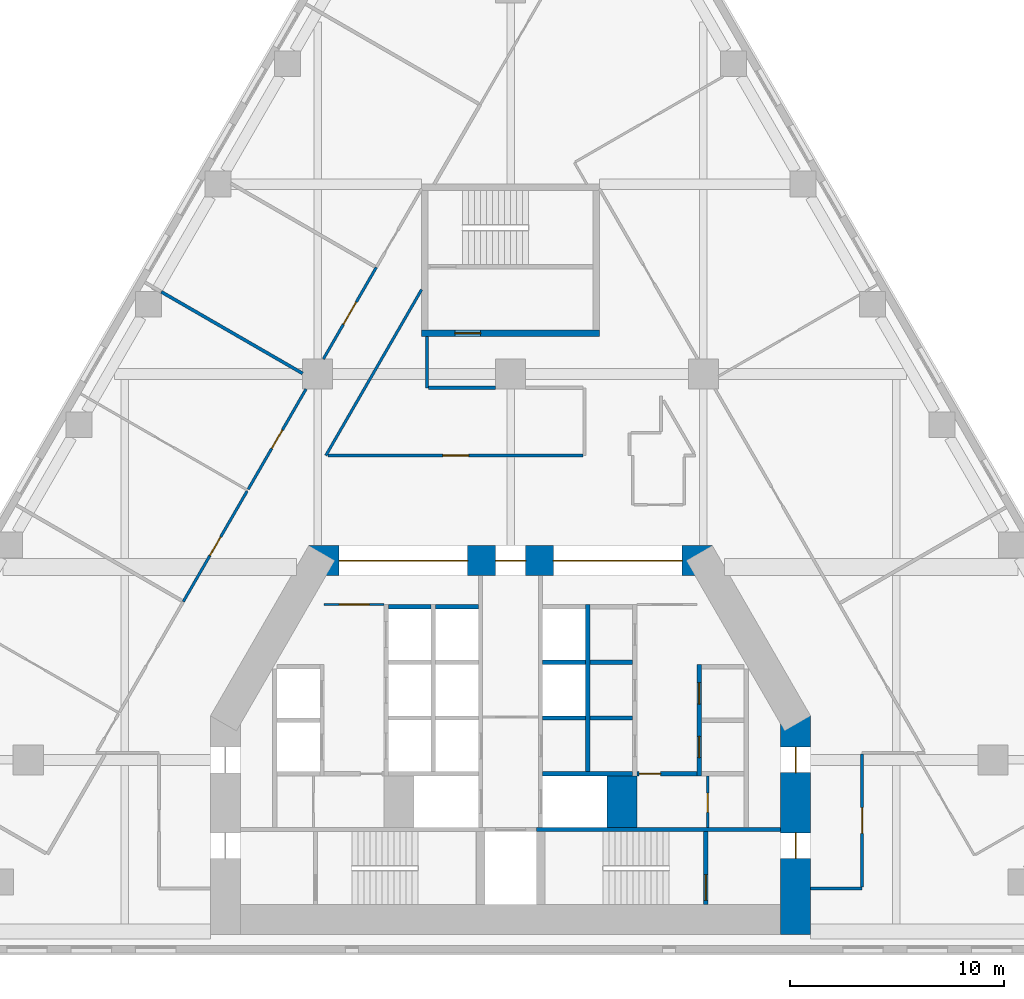
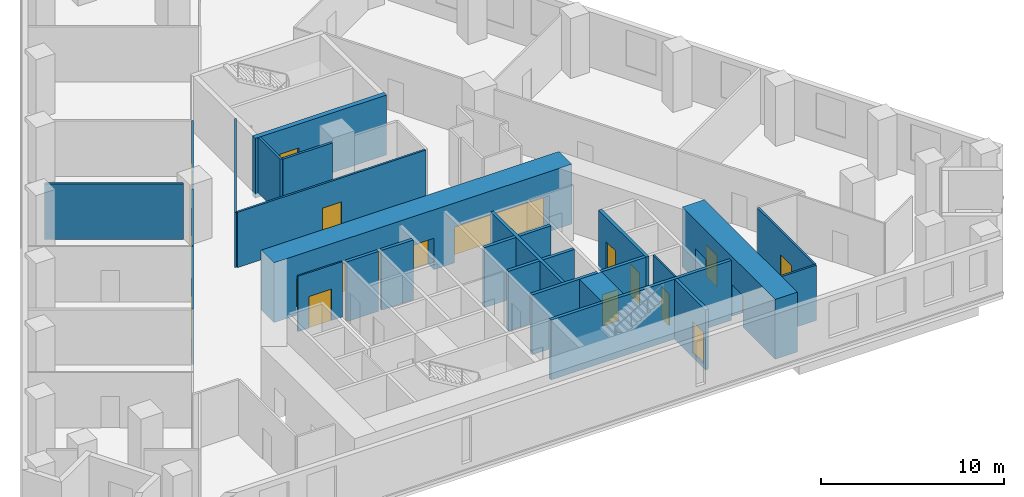
# One storey, part 5 of 9: 28 walls, 17 doors, 17 openings.
"""IFC4 building model written with IfcOpenShell, lengths in metres."""

from ifc_helpers import new_model, si_unit, direction, frame, frame_2d, origin, place, context, subcontext, project, spatial, rectangle, extrude, material, layer, layer_set, type_object, element, fill, save


model = new_model("IFC4")

# Units and contexts
model_context = context("Model", 3, precision=1e-05, world=origin(), true_north=direction((0.0, 1.0)))
body_context = subcontext(model_context, "Body", "Model", "MODEL_VIEW")
ifc_project = project(units=[si_unit("LENGTHUNIT", "METRE"), si_unit("AREAUNIT", "SQUARE_METRE"), si_unit("VOLUMEUNIT", "CUBIC_METRE"), si_unit("PLANEANGLEUNIT", "RADIAN"), si_unit("MASSUNIT", "GRAM", prefix="KILO")], contexts=[model_context])

# Site, building, storey
site_placement = place(None, origin())
site = spatial("IfcSite", under=ifc_project, at=site_placement, CompositionType="ELEMENT")
building_placement = place(site_placement, origin())
building = spatial("IfcBuilding", under=site, at=building_placement, Name="Fogline Exchange Tower", CompositionType="ELEMENT")
storey_placement = place(building_placement, frame((0.0, 0.0, 80.89990234375)))
storey = spatial("IfcBuildingStorey", under=building, at=storey_placement, Name="L17", CompositionType="ELEMENT", Elevation=80.89990234375)

# Wall, opening, door
ifc_material_1 = material(Name="Blockwork partition", Category="masonry")
ifc_layer_1 = layer(ifc_material_1, 0.10009765625)
ifc_layer_set_1 = layer_set([ifc_layer_1], Name="CW10")
wall_type_1 = type_object("IfcWallType", Name="CW10", PredefinedType="PARTITIONING", material=ifc_layer_set_1)
wall_1_placement = place(storey_placement, frame((-8.699951171875, 16.25, 0.0), z_axis=(0.0, 0.0, 1.0), x_axis=(1.0, 0.0, 0.0)))
wall_1 = element("IfcWall", 1, at=wall_1_placement, inside=storey, type_object=wall_type_1, Name="Lift lobby partition", PredefinedType="PARTITIONING", context=body_context, shape_type="SweptSolid", body=[
    extrude(rectangle(XDim=2.800048828125, YDim=0.10009765625, at=frame_2d((1.39990234375, 0.0))), origin(), (0.0, 0.0, 1.0), 3.7001953125),
])
opening_1_placement = place(wall_1_placement, frame((0.699951171875, 0.0, 0.0)))
opening_1 = element("IfcOpeningElement", 2, at=opening_1_placement, cuts=wall_1, Name="Opening T05-C007", PredefinedType="OPENING", context=body_context, shape_type="SweptSolid", body=[
    extrude(rectangle(XDim=1.39990234375, YDim=2.10009765625, at=frame_2d((0.699951171875, 1.050048828125))), frame((0.0, 0.06005859375, 0.0), z_axis=(0.0, -1.0, 0.0), x_axis=(1.0, 0.0, 0.0)), (0.0, 0.0, 1.0), 0.1201171875),
])
ifc_material_2 = material(Name="Steel and timber fire door", Category="steel")
door_type_1 = type_object("IfcDoorType", Name="D-LB1", OperationType="DOUBLE_DOOR_SINGLE_SWING", PredefinedType="DOOR", material=ifc_material_2)
door_1_placement = place(opening_1_placement, origin())
door_1 = element("IfcDoor", 3, at=door_1_placement, inside=storey, type_object=door_type_1, Name="Door to lift lobby", OperationType="DOUBLE_DOOR_SINGLE_SWING", OverallHeight=2.10009765625, OverallWidth=1.39990234375, PredefinedType="DOOR", context=body_context, shape_type="SweptSolid", body=[
    extrude(rectangle(XDim=1.39990234375, YDim=2.10009765625, at=frame_2d((0.699951171875, 1.050048828125))), frame((0.0, 0.02490234375, 0.0), z_axis=(0.0, -1.0, 0.0), x_axis=(1.0, 0.0, 0.0)), (0.0, 0.0, 1.0), 0.050048828125),
])
fill(opening_1, door_1)

wall_2_placement = place(storey_placement, frame((9.199951171875, 5.85009765625, 0.0), z_axis=(0.0, 0.0, 1.0), x_axis=(0.0, 1.0, 0.0)))
wall_2 = element("IfcWall", 4, at=wall_2_placement, inside=storey, type_object=wall_type_1, Name="WC partition", PredefinedType="PARTITIONING", context=body_context, shape_type="SweptSolid", body=[
    extrude(rectangle(XDim=2.39990234375, YDim=0.10009765625, at=frame_2d((1.199951171875, 0.0))), origin(), (0.0, 0.0, 1.0), 3.7001953125),
])
opening_2_placement = place(wall_2_placement, frame((0.699951171875, 0.0, 0.0)))
opening_2 = element("IfcOpeningElement", 5, at=opening_2_placement, cuts=wall_2, Name="Opening T05-C015", PredefinedType="OPENING", context=body_context, shape_type="SweptSolid", body=[
    extrude(rectangle(XDim=0.89990234375, YDim=2.10009765625, at=frame_2d((0.449951171875, 1.050048828125))), frame((0.0, 0.06005859375, 0.0), z_axis=(0.0, -1.0, 0.0), x_axis=(1.0, 0.0, 0.0)), (0.0, 0.0, 1.0), 0.1201171875),
])
door_type_2 = type_object("IfcDoorType", Name="D-CS1", OperationType="SINGLE_SWING_RIGHT", PredefinedType="DOOR", material=ifc_material_2)
door_2_placement = place(opening_2_placement, frame((0.89990234375, 0.0, 0.0), z_axis=(0.0, 0.0, 1.0), x_axis=(-1.0, 0.0, 0.0)))
door_2 = element("IfcDoor", 6, at=door_2_placement, inside=storey, type_object=door_type_2, Name="Door to Cleaner's Store", OperationType="SINGLE_SWING_RIGHT", OverallHeight=2.10009765625, OverallWidth=0.89990234375, PredefinedType="DOOR", context=body_context, shape_type="SweptSolid", body=[
    extrude(rectangle(XDim=0.89990234375, YDim=2.10009765625, at=frame_2d((0.449951171875, 1.050048828125))), frame((0.0, 0.02490234375, 0.0), z_axis=(0.0, -1.0, 0.0), x_axis=(1.0, 0.0, 0.0)), (0.0, 0.0, 1.0), 0.050048828125),
])
fill(opening_2, door_2)

# Wall
ifc_material_3 = material(Name="Concrete C60", Category="concrete")
ifc_layer_2 = layer(ifc_material_3, 1.39990234375)
ifc_layer_set_2 = layer_set([ifc_layer_2], Name="CW140")
wall_type_2 = type_object("IfcWallType", Name="CW140", PredefinedType="SOLIDWALL", material=ifc_layer_set_2)
wall_3_placement = place(storey_placement, frame((5.199951171875, 5.85009765625, -0.2998046875), z_axis=(0.0, 0.0, 1.0), x_axis=(0.0, 1.0, 0.0)))
element("IfcWall", 7, at=wall_3_placement, inside=storey, type_object=wall_type_2, Name="Lift shaft block wall", PredefinedType="SOLIDWALL", context=body_context, shape_type="SweptSolid", body=[
    extrude(rectangle(XDim=2.39990234375, YDim=1.39990234375, at=frame_2d((1.199951171875, 0.0))), origin(), (0.0, 0.0, 1.0), 4.0),
])

# Wall, opening, door
ifc_material_4 = material(Name="Concrete C40", Category="concrete")
ifc_layer_3 = layer(ifc_material_4, 0.199951171875)
ifc_layer_set_3 = layer_set([ifc_layer_3], Name="CW20")
wall_type_3 = type_object("IfcWallType", Name="CW20", PredefinedType="SOLIDWALL", material=ifc_layer_set_3)
wall_4_placement = place(storey_placement, frame((5.89990234375, 8.35009765625, 0.0), z_axis=(0.0, 0.0, 1.0), x_axis=(1.0, 0.0, 0.0)))
wall_4 = element("IfcWall", 8, at=wall_4_placement, inside=storey, type_object=wall_type_3, Name="WC wall", PredefinedType="SOLIDWALL", context=body_context, shape_type="SweptSolid", body=[
    extrude(rectangle(XDim=2.800048828125, YDim=0.199951171875, at=frame_2d((1.39990234375, 0.0))), origin(), (0.0, 0.0, 1.0), 3.7001953125),
])
opening_3_placement = place(wall_4_placement, frame((0.10009765625, 0.0, 0.0)))
opening_3 = element("IfcOpeningElement", 9, at=opening_3_placement, cuts=wall_4, Name="Opening T05-C014", PredefinedType="OPENING", context=body_context, shape_type="SweptSolid", body=[
    extrude(rectangle(XDim=1.0, YDim=2.10009765625, at=frame_2d((0.5, 1.050048828125))), frame((0.0, 0.10986328125, 0.0), z_axis=(0.0, -1.0, 0.0), x_axis=(1.0, 0.0, 0.0)), (0.0, 0.0, 1.0), 0.219970703125),
])
door_type_3 = type_object("IfcDoorType", Name="D-WC1", OperationType="SINGLE_SWING_LEFT", PredefinedType="DOOR", material=ifc_material_2)
door_3_placement = place(opening_3_placement, frame((1.0, 0.0, 0.0), z_axis=(0.0, 0.0, 1.0), x_axis=(-1.0, 0.0, 0.0)))
door_3 = element("IfcDoor", 10, at=door_3_placement, inside=storey, type_object=door_type_3, Name="Door to Women's WC", OperationType="SINGLE_SWING_RIGHT", OverallHeight=2.10009765625, OverallWidth=1.0, PredefinedType="DOOR", context=body_context, shape_type="SweptSolid", body=[
    extrude(rectangle(XDim=1.0, YDim=2.10009765625, at=frame_2d((0.5, 1.050048828125))), frame((0.0, 0.02490234375, 0.0), z_axis=(0.0, -1.0, 0.0), x_axis=(1.0, 0.0, 0.0)), (0.0, 0.0, 1.0), 0.050048828125),
])
fill(opening_3, door_3)

# Wall
ifc_layer_4 = layer(ifc_material_4, 0.199951171875)
ifc_layer_set_4 = layer_set([ifc_layer_4], Name="CW20R")
wall_type_4 = type_object("IfcWallType", Name="CW20R", PredefinedType="SOLIDWALL", material=ifc_layer_set_4)
wall_5_placement = place(storey_placement, frame((1.199951171875, 5.75, -0.2998046875), z_axis=(0.0, 0.0, 1.0), x_axis=(1.0, 0.0, 0.0)))
element("IfcWall", 11, at=wall_5_placement, inside=storey, type_object=wall_type_4, Name="Stair enclosure wall", PredefinedType="SOLIDWALL", context=body_context, shape_type="SweptSolid", body=[
    extrude(rectangle(XDim=11.400146484375, YDim=0.199951171875, at=frame_2d((5.7001953125, 0.0))), origin(), (0.0, 0.0, 1.0), 4.0),
])

# Wall, opening, door
wall_6_placement = place(storey_placement, frame((9.10009765625, 2.25, -0.2998046875), z_axis=(0.0, 0.0, 1.0), x_axis=(0.0, 1.0, 0.0)))
wall_6 = element("IfcWall", 12, at=wall_6_placement, inside=storey, type_object=wall_type_4, Name="Stair enclosure wall", PredefinedType="SOLIDWALL", context=body_context, shape_type="SweptSolid", body=[
    extrude(rectangle(XDim=3.39990234375, YDim=0.199951171875, at=frame_2d((1.699951171875, 0.0))), origin(), (0.0, 0.0, 1.0), 4.0),
])
opening_4_placement = place(wall_6_placement, frame((0.199951171875, 0.0, 0.300048828125)))
opening_4 = element("IfcOpeningElement", 13, at=opening_4_placement, cuts=wall_6, Name="Opening T05-C017", PredefinedType="OPENING", context=body_context, shape_type="SweptSolid", body=[
    extrude(rectangle(XDim=1.199951171875, YDim=2.10009765625, at=frame_2d((0.60009765625, 1.050048828125))), frame((0.0, 0.10986328125, 0.0), z_axis=(0.0, -1.0, 0.0), x_axis=(1.0, 0.0, 0.0)), (0.0, 0.0, 1.0), 0.219970703125),
])
door_type_4 = type_object("IfcDoorType", Name="D-ST1", OperationType="SINGLE_SWING_LEFT", PredefinedType="DOOR", material=ifc_material_2)
door_4_placement = place(opening_4_placement, origin())
door_4 = element("IfcDoor", 14, at=door_4_placement, inside=storey, type_object=door_type_4, Name="Stair door ST2", OperationType="SINGLE_SWING_LEFT", OverallHeight=2.10009765625, OverallWidth=1.199951171875, PredefinedType="DOOR", context=body_context, shape_type="SweptSolid", body=[
    extrude(rectangle(XDim=1.199951171875, YDim=2.10009765625, at=frame_2d((0.60009765625, 1.050048828125))), frame((0.0, 0.02490234375, 0.0), z_axis=(0.0, -1.0, 0.0), x_axis=(1.0, 0.0, 0.0)), (0.0, 0.0, 1.0), 0.050048828125),
])
fill(opening_4, door_4)

# Wall, openings, doors
ifc_layer_5 = layer(ifc_material_4, 0.199951171875)
ifc_layer_set_5 = layer_set([ifc_layer_5], Name="CW20S")
wall_type_5 = type_object("IfcWallType", Name="CW20S", PredefinedType="SOLIDWALL", material=ifc_layer_set_5)
wall_7_placement = place(storey_placement, frame((8.800048828125, 8.25, -0.2998046875), z_axis=(0.0, 0.0, 1.0), x_axis=(0.0, 1.0, 0.0)))
wall_7 = element("IfcWall", 15, at=wall_7_placement, inside=storey, type_object=wall_type_5, Name="Lift shaft wall", PredefinedType="SOLIDWALL", context=body_context, shape_type="SweptSolid", body=[
    extrude(rectangle(XDim=5.199951171875, YDim=0.199951171875, at=frame_2d((2.60009765625, 0.0))), origin(), (0.0, 0.0, 1.0), 4.0),
])
opening_5_placement = place(wall_7_placement, frame((0.85009765625, 0.0, 0.300048828125)))
opening_5 = element("IfcOpeningElement", 16, at=opening_5_placement, cuts=wall_7, Name="Opening T05-C001", PredefinedType="OPENING", context=body_context, shape_type="SweptSolid", body=[
    extrude(rectangle(XDim=1.0, YDim=2.10009765625, at=frame_2d((0.5, 1.050048828125))), frame((0.0, 0.10986328125, 0.0), z_axis=(0.0, -1.0, 0.0), x_axis=(1.0, 0.0, 0.0)), (0.0, 0.0, 1.0), 0.219970703125),
])
opening_6_placement = place(wall_7_placement, frame((3.35009765625, 0.0, 0.300048828125)))
opening_6 = element("IfcOpeningElement", 17, at=opening_6_placement, cuts=wall_7, Name="Opening T05-C002", PredefinedType="OPENING", context=body_context, shape_type="SweptSolid", body=[
    extrude(rectangle(XDim=1.0, YDim=2.10009765625, at=frame_2d((0.5, 1.050048828125))), frame((0.0, 0.10986328125, 0.0), z_axis=(0.0, -1.0, 0.0), x_axis=(1.0, 0.0, 0.0)), (0.0, 0.0, 1.0), 0.219970703125),
])
door_type_5 = type_object("IfcDoorType", Name="D-RM1", OperationType="SINGLE_SWING_LEFT", PredefinedType="DOOR", material=ifc_material_2)
door_5_placement = place(opening_5_placement, frame((1.0, 0.0, 0.0), z_axis=(0.0, 0.0, 1.0), x_axis=(-1.0, 0.0, 0.0)))
door_5 = element("IfcDoor", 18, at=door_5_placement, inside=storey, type_object=door_type_5, Name="Door to Server Room", OperationType="SINGLE_SWING_LEFT", OverallHeight=2.10009765625, OverallWidth=1.0, PredefinedType="DOOR", context=body_context, shape_type="SweptSolid", body=[
    extrude(rectangle(XDim=1.0, YDim=2.10009765625, at=frame_2d((0.5, 1.050048828125))), frame((0.0, 0.02490234375, 0.0), z_axis=(0.0, -1.0, 0.0), x_axis=(1.0, 0.0, 0.0)), (0.0, 0.0, 1.0), 0.050048828125),
])
fill(opening_5, door_5)
door_6_placement = place(opening_6_placement, frame((1.0, 0.0, 0.0), z_axis=(0.0, 0.0, 1.0), x_axis=(-1.0, 0.0, 0.0)))
door_6 = element("IfcDoor", 19, at=door_6_placement, inside=storey, type_object=door_type_5, Name="Door to Archive Store", OperationType="SINGLE_SWING_LEFT", OverallHeight=2.10009765625, OverallWidth=1.0, PredefinedType="DOOR", context=body_context, shape_type="SweptSolid", body=[
    extrude(rectangle(XDim=1.0, YDim=2.10009765625, at=frame_2d((0.5, 1.050048828125))), frame((0.0, 0.02490234375, 0.0), z_axis=(0.0, -1.0, 0.0), x_axis=(1.0, 0.0, 0.0)), (0.0, 0.0, 1.0), 0.050048828125),
])
fill(opening_6, door_6)

# Walls
wall_8_placement = place(storey_placement, frame((3.60009765625, 8.449951171875, -0.2998046875), z_axis=(0.0, 0.0, 1.0), x_axis=(0.0, 1.0, 0.0)))
element("IfcWall", 20, at=wall_8_placement, inside=storey, type_object=wall_type_5, Name="Lift shaft wall", PredefinedType="SOLIDWALL", context=body_context, shape_type="SweptSolid", body=[
    extrude(rectangle(XDim=7.800048828125, YDim=0.199951171875, at=frame_2d((3.89990234375, 0.0))), origin(), (0.0, 0.0, 1.0), 4.0),
])
wall_9_placement = place(storey_placement, frame((1.5, 8.35009765625, -0.2998046875), z_axis=(0.0, 0.0, 1.0), x_axis=(1.0, 0.0, 0.0)))
element("IfcWall", 21, at=wall_9_placement, inside=storey, type_object=wall_type_5, Name="Lift shaft wall", PredefinedType="SOLIDWALL", context=body_context, shape_type="SweptSolid", body=[
    extrude(rectangle(XDim=4.199951171875, YDim=0.199951171875, at=frame_2d((2.10009765625, 0.0))), origin(), (0.0, 0.0, 1.0), 4.0),
])
for number, where, z_axis, x_axis, name in (
    (22, (-5.699951171875, 16.14990234375, -0.2998046875), (0.0, 0.0, 1.0), (1.0, 0.0, 0.0), "Lift shaft wall"),
    (23, (-3.5, 16.14990234375, -0.2998046875), (0.0, 0.0, 1.0), (1.0, 0.0, 0.0), "Lift shaft wall"),
    (24, (3.699951171875, 10.949951171875, -0.2998046875), (0.0, 0.0, 1.0), (1.0, 0.0, 0.0), "Lift shaft wall"),
    (25, (3.699951171875, 13.550048828125, -0.2998046875), (0.0, 0.0, 1.0), (1.0, 0.0, 0.0), "Lift shaft wall"),
    (26, (1.5, 10.949951171875, -0.2998046875), (0.0, 0.0, 1.0), (1.0, 0.0, 0.0), "Lift shaft wall"),
    (27, (1.5, 13.550048828125, -0.2998046875), (0.0, 0.0, 1.0), (1.0, 0.0, 0.0), "Lift shaft wall"),
):
    element("IfcWall", number, at=place(storey_placement, frame(where, z_axis=z_axis, x_axis=x_axis)), inside=storey, type_object=wall_type_5, Name=name, PredefinedType="SOLIDWALL", context=body_context, shape_type="SweptSolid", body=[
        extrude(rectangle(XDim=2.0, YDim=0.199951171875, at=frame_2d((1.0, 0.0))), origin(), (0.0, 0.0, 1.0), 4.0),
    ])

# Wall, opening, door
ifc_layer_6 = layer(ifc_material_4, 0.300048828125)
ifc_layer_set_6 = layer_set([ifc_layer_6], Name="CW30")
wall_type_6 = type_object("IfcWallType", Name="CW30", PredefinedType="SOLIDWALL", material=ifc_layer_set_6)
wall_10_placement = place(storey_placement, frame((-4.14990234375, 28.906982421875, -0.2998046875), z_axis=(0.0, 0.0, 1.0), x_axis=(1.0, 0.0, 0.0)))
wall_10 = element("IfcWall", 28, at=wall_10_placement, inside=storey, type_object=wall_type_6, Name="Stair enclosure wall ST3", PredefinedType="SOLIDWALL", context=body_context, shape_type="SweptSolid", body=[
    extrude(rectangle(XDim=8.2998046875, YDim=0.300048828125, at=frame_2d((4.14990234375, 0.0))), origin(), (0.0, 0.0, 1.0), 4.0),
])
opening_7_placement = place(wall_10_placement, frame((1.550048828125, 0.0, 0.300048828125)))
opening_7 = element("IfcOpeningElement", 29, at=opening_7_placement, cuts=wall_10, Name="Opening T05-C023", PredefinedType="OPENING", context=body_context, shape_type="SweptSolid", body=[
    extrude(rectangle(XDim=1.199951171875, YDim=2.10009765625, at=frame_2d((0.60009765625, 1.050048828125))), frame((0.0, 0.16015625, 0.0), z_axis=(0.0, -1.0, 0.0), x_axis=(1.0, 0.0, 0.0)), (0.0, 0.0, 1.0), 0.320068359375),
])
door_type_6 = type_object("IfcDoorType", Name="D-FR1", OperationType="SINGLE_SWING_RIGHT", PredefinedType="DOOR", material=ifc_material_2)
door_7_placement = place(opening_7_placement, origin())
door_7 = element("IfcDoor", 30, at=door_7_placement, inside=storey, type_object=door_type_6, Name="Front room door ST3", OperationType="SINGLE_SWING_LEFT", OverallHeight=2.10009765625, OverallWidth=1.199951171875, PredefinedType="DOOR", context=body_context, shape_type="SweptSolid", body=[
    extrude(rectangle(XDim=1.199951171875, YDim=2.10009765625, at=frame_2d((0.60009765625, 1.050048828125))), frame((0.0, 0.02490234375, 0.0), z_axis=(0.0, -1.0, 0.0), x_axis=(1.0, 0.0, 0.0)), (0.0, 0.0, 1.0), 0.050048828125),
])
fill(opening_7, door_7)

ifc_material_5 = material(Name="Plasterboard corridor partition with mineral wool, 2 layers each side")
ifc_layer_7 = layer(ifc_material_5, 0.125)
ifc_layer_set_7 = layer_set([ifc_layer_7], Name="PW2")
wall_type_7 = type_object("IfcWallType", Name="PW2", PredefinedType="PARTITIONING", material=ifc_layer_set_7)
wall_11_placement = place(storey_placement, frame((16.39990234375, 9.277587890625, 0.0), z_axis=(0.0, 0.0, 1.0), x_axis=(0.0, -1.0, 0.0)))
wall_11 = element("IfcWall", 31, at=wall_11_placement, inside=storey, type_object=wall_type_7, Name="wall-L17-W001", PredefinedType="PARTITIONING", context=body_context, shape_type="SweptSolid", body=[
    extrude(rectangle(XDim=6.215087890625, YDim=0.125, at=frame_2d((3.107421875, 0.0))), origin(), (0.0, 0.0, 1.0), 3.7001953125),
])
opening_8_placement = place(wall_11_placement, frame((2.507568359375, 0.0, 0.0)))
opening_8 = element("IfcOpeningElement", 32, at=opening_8_placement, cuts=wall_11, Name="Opening T05-D001", PredefinedType="OPENING", context=body_context, shape_type="SweptSolid", body=[
    extrude(rectangle(XDim=1.199951171875, YDim=2.10009765625, at=frame_2d((0.60009765625, 1.050048828125))), frame((0.0, 0.072509765625, 0.0), z_axis=(0.0, -1.0, 0.0), x_axis=(1.0, 0.0, 0.0)), (0.0, 0.0, 1.0), 0.14501953125),
])
ifc_material_6 = material(Name="Fire-rated glazed door leaf with steel frame", Category="steel")
door_type_7 = type_object("IfcDoorType", Name="D5", OperationType="SINGLE_SWING_LEFT", PredefinedType="DOOR", material=ifc_material_6)
door_8_placement = place(opening_8_placement, origin())
door_8 = element("IfcDoor", 33, at=door_8_placement, inside=storey, type_object=door_type_7, Name="door-L17-D001", OperationType="SINGLE_SWING_LEFT", OverallHeight=2.10009765625, OverallWidth=1.199951171875, PredefinedType="DOOR", context=body_context, shape_type="SweptSolid", body=[
    extrude(rectangle(XDim=1.199951171875, YDim=2.10009765625, at=frame_2d((0.60009765625, 1.050048828125))), frame((0.0, 0.02490234375, 0.0), z_axis=(0.0, -1.0, 0.0), x_axis=(1.0, 0.0, 0.0)), (0.0, 0.0, 1.0), 0.050048828125),
])
fill(opening_8, door_8)

# Wall
wall_12_placement = place(storey_placement, frame((16.39990234375, 3.0, 0.0), z_axis=(0.0, 0.0, 1.0), x_axis=(-1.0, 0.0, 0.0)))
element("IfcWall", 34, at=wall_12_placement, inside=storey, type_object=wall_type_7, Name="wall-L17-W002", PredefinedType="PARTITIONING", context=body_context, shape_type="SweptSolid", body=[
    extrude(rectangle(XDim=2.39990234375, YDim=0.125, at=frame_2d((1.199951171875, 0.0))), origin(), (0.0, 0.0, 1.0), 3.7001953125),
])

# Wall, opening, door
wall_13_placement = place(storey_placement, frame((-8.5087890625, 23.199951171875, 0.0), z_axis=(0.0, 0.0, 1.0), x_axis=(1.0, 0.0, 0.0)))
wall_13 = element("IfcWall", 35, at=wall_13_placement, inside=storey, type_object=wall_type_7, Name="wall-L17-W007", PredefinedType="PARTITIONING", context=body_context, shape_type="SweptSolid", body=[
    extrude(rectangle(XDim=11.896240234375, YDim=0.125, at=frame_2d((5.9482421875, 0.0))), origin(), (0.0, 0.0, 1.0), 3.7001953125),
])
opening_9_placement = place(wall_13_placement, frame((5.34814453125, 0.0, 0.0)))
opening_9 = element("IfcOpeningElement", 36, at=opening_9_placement, cuts=wall_13, Name="Opening T05-D003", PredefinedType="OPENING", context=body_context, shape_type="SweptSolid", body=[
    extrude(rectangle(XDim=1.199951171875, YDim=2.10009765625, at=frame_2d((0.60009765625, 1.050048828125))), frame((0.0, 0.072509765625, 0.0), z_axis=(0.0, -1.0, 0.0), x_axis=(1.0, 0.0, 0.0)), (0.0, 0.0, 1.0), 0.14501953125),
])
door_9_placement = place(opening_9_placement, origin())
door_9 = element("IfcDoor", 37, at=door_9_placement, inside=storey, type_object=door_type_7, Name="door-L17-D003", OperationType="SINGLE_SWING_RIGHT", OverallHeight=2.10009765625, OverallWidth=1.199951171875, PredefinedType="DOOR", context=body_context, shape_type="SweptSolid", body=[
    extrude(rectangle(XDim=1.199951171875, YDim=2.10009765625, at=frame_2d((0.60009765625, 1.050048828125))), frame((0.0, 0.02490234375, 0.0), z_axis=(0.0, -1.0, 0.0), x_axis=(1.0, 0.0, 0.0)), (0.0, 0.0, 1.0), 0.050048828125),
])
fill(opening_9, door_9)

# Wall
wall_14_placement = place(storey_placement, frame((-4.14990234375, 30.93798828125, 0.0), z_axis=(0.0, 0.0, 1.0), x_axis=(-0.499997606806, -0.866026785491, 0.0)))
element("IfcWall", 38, at=wall_14_placement, inside=storey, type_object=wall_type_7, Name="wall-L17-W011", PredefinedType="PARTITIONING", context=body_context, shape_type="SweptSolid", body=[
    extrude(rectangle(XDim=8.93505859375, YDim=0.125, at=frame_2d((4.467529296875, 0.0))), origin(), (0.0, 0.0, 1.0), 3.7001953125),
])

# Wall, opening, door
wall_15_placement = place(storey_placement, frame((-8.73291015625, 27.699951171875, 0.0), z_axis=(0.0, 0.0, 1.0), x_axis=(0.499996519298, 0.86602741336, 0.0)))
wall_15 = element("IfcWall", 39, at=wall_15_placement, inside=storey, type_object=wall_type_7, Name="wall-L17-W012", PredefinedType="PARTITIONING", context=body_context, shape_type="SweptSolid", body=[
    extrude(rectangle(XDim=4.93505859375, YDim=0.125, at=frame_2d((2.467529296875, 0.0))), origin(), (0.0, 0.0, 1.0), 3.7001953125),
])
opening_10_placement = place(wall_15_placement, frame((1.867431640625, 0.0, 0.0)))
opening_10 = element("IfcOpeningElement", 40, at=opening_10_placement, cuts=wall_15, Name="Opening T05-D006", PredefinedType="OPENING", context=body_context, shape_type="SweptSolid", body=[
    extrude(rectangle(XDim=1.199951171875, YDim=2.10009765625, at=frame_2d((0.60009765625, 1.050048828125))), frame((0.0, 0.072509765625, 0.0), z_axis=(0.0, -1.0, 0.0), x_axis=(1.0, 0.0, 0.0)), (0.0, 0.0, 1.0), 0.14501953125),
])
door_10_placement = place(opening_10_placement, origin())
door_10 = element("IfcDoor", 41, at=door_10_placement, inside=storey, type_object=door_type_7, Name="door-L17-D006", OperationType="SINGLE_SWING_RIGHT", OverallHeight=2.10009765625, OverallWidth=1.199951171875, PredefinedType="DOOR", context=body_context, shape_type="SweptSolid", body=[
    extrude(rectangle(XDim=1.199951171875, YDim=2.10009765625, at=frame_2d((0.60009765625, 1.050048828125))), frame((0.0, 0.02490234375, 0.0), z_axis=(0.0, -1.0, 0.0), x_axis=(1.0, 0.0, 0.0)), (0.0, 0.0, 1.0), 0.050048828125),
])
fill(opening_10, door_10)

wall_16_placement = place(storey_placement, frame((-12.239990234375, 21.625244140625, 0.0), z_axis=(0.0, 0.0, 1.0), x_axis=(0.499962585297, 0.866047004096, 0.0)))
wall_16 = element("IfcWall", 42, at=wall_16_placement, inside=storey, type_object=wall_type_7, Name="wall-L17-W013", PredefinedType="PARTITIONING", context=body_context, shape_type="SweptSolid", body=[
    extrude(rectangle(XDim=5.39794921875, YDim=0.125, at=frame_2d((2.698974609375, 0.0))), origin(), (0.0, 0.0, 1.0), 3.7001953125),
])
opening_11_placement = place(wall_16_placement, frame((2.198974609375, 0.0, 0.0)))
opening_11 = element("IfcOpeningElement", 43, at=opening_11_placement, cuts=wall_16, Name="Opening T05-D007", PredefinedType="OPENING", context=body_context, shape_type="SweptSolid", body=[
    extrude(rectangle(XDim=1.0, YDim=2.10009765625, at=frame_2d((0.5, 1.050048828125))), frame((0.0, 0.072509765625, 0.0), z_axis=(0.0, -1.0, 0.0), x_axis=(1.0, 0.0, 0.0)), (0.0, 0.0, 1.0), 0.14501953125),
])
ifc_material_7 = material(Name="Fire-rated timber door leaf with steel frame", Category="steel")
door_type_8 = type_object("IfcDoorType", Name="D3", OperationType="SINGLE_SWING_LEFT", PredefinedType="DOOR", material=ifc_material_7)
door_11_placement = place(opening_11_placement, origin())
door_11 = element("IfcDoor", 44, at=door_11_placement, inside=storey, type_object=door_type_8, Name="door-L17-D007", OperationType="SINGLE_SWING_LEFT", OverallHeight=2.10009765625, OverallWidth=1.0, PredefinedType="DOOR", context=body_context, shape_type="SweptSolid", body=[
    extrude(rectangle(XDim=1.0, YDim=2.10009765625, at=frame_2d((0.5, 1.050048828125))), frame((0.0, 0.02490234375, 0.0), z_axis=(0.0, -1.0, 0.0), x_axis=(1.0, 0.0, 0.0)), (0.0, 0.0, 1.0), 0.050048828125),
])
fill(opening_11, door_11)

wall_17_placement = place(storey_placement, frame((-15.265380859375, 16.385498046875, 0.0), z_axis=(0.0, 0.0, 1.0), x_axis=(0.500018463402, 0.866014743672, 0.0)))
wall_17 = element("IfcWall", 45, at=wall_17_placement, inside=storey, type_object=wall_type_7, Name="wall-L17-W014", PredefinedType="PARTITIONING", context=body_context, shape_type="SweptSolid", body=[
    extrude(rectangle(XDim=5.949462890625, YDim=0.125, at=frame_2d((2.974609375, 0.0))), origin(), (0.0, 0.0, 1.0), 3.7001953125),
])
opening_12_placement = place(wall_17_placement, frame((2.474853515625, 0.0, 0.0)))
opening_12 = element("IfcOpeningElement", 46, at=opening_12_placement, cuts=wall_17, Name="Opening T05-D008", PredefinedType="OPENING", context=body_context, shape_type="SweptSolid", body=[
    extrude(rectangle(XDim=1.0, YDim=2.10009765625, at=frame_2d((0.5, 1.050048828125))), frame((0.0, 0.072509765625, 0.0), z_axis=(0.0, -1.0, 0.0), x_axis=(1.0, 0.0, 0.0)), (0.0, 0.0, 1.0), 0.14501953125),
])
door_12_placement = place(opening_12_placement, origin())
door_12 = element("IfcDoor", 47, at=door_12_placement, inside=storey, type_object=door_type_8, Name="door-L17-D008", OperationType="SINGLE_SWING_RIGHT", OverallHeight=2.10009765625, OverallWidth=1.0, PredefinedType="DOOR", context=body_context, shape_type="SweptSolid", body=[
    extrude(rectangle(XDim=1.0, YDim=2.10009765625, at=frame_2d((0.5, 1.050048828125))), frame((0.0, 0.02490234375, 0.0), z_axis=(0.0, -1.0, 0.0), x_axis=(1.0, 0.0, 0.0)), (0.0, 0.0, 1.0), 0.050048828125),
])
fill(opening_12, door_12)

# Walls
ifc_material_8 = material(Name="Plasterboard demising partition with mineral wool and acoustic board")
ifc_layer_8 = layer(ifc_material_8, 0.14990234375)
ifc_layer_set_8 = layer_set([ifc_layer_8], Name="PW3")
wall_type_8 = type_object("IfcWallType", Name="PW3", PredefinedType="PARTITIONING", material=ifc_layer_set_8)
wall_18_placement = place(storey_placement, frame((-9.699951171875, 27.028564453125, 0.0), z_axis=(0.0, 0.0, 1.0), x_axis=(-0.866021009999, 0.500007610182, 0.0)))
element("IfcWall", 48, at=wall_18_placement, inside=storey, type_object=wall_type_8, Name="wall-L17-W042", PredefinedType="PARTITIONING", context=body_context, shape_type="SweptSolid", body=[
    extrude(rectangle(XDim=7.60888671875, YDim=0.14990234375, at=frame_2d((3.804443359375, 0.0))), origin(), (0.0, 0.0, 1.0), 3.7001953125),
])
ifc_material_9 = material(Name="Plasterboard stair lobby partition, 3 layers each side on steel studs", Category="steel")
ifc_layer_9 = layer(ifc_material_9, 0.14990234375)
ifc_layer_set_9 = layer_set([ifc_layer_9], Name="PW4")
wall_type_9 = type_object("IfcWallType", Name="PW4", PredefinedType="PARTITIONING", material=ifc_layer_set_9)
wall_19_placement = place(storey_placement, frame((-0.699951171875, 26.35693359375, 0.0), z_axis=(0.0, 0.0, 1.0), x_axis=(-1.0, 0.0, 0.0)))
element("IfcWall", 49, at=wall_19_placement, inside=storey, type_object=wall_type_9, Name="wall-L17-W020", PredefinedType="PARTITIONING", context=body_context, shape_type="SweptSolid", body=[
    extrude(rectangle(XDim=3.125, YDim=0.14990234375, at=frame_2d((1.5625, 0.0))), origin(), (0.0, 0.0, 1.0), 3.7001953125),
])
wall_20_placement = place(storey_placement, frame((-3.89990234375, 26.35693359375, 0.0), z_axis=(0.0, 0.0, 1.0), x_axis=(0.0, 1.0, 0.0)))
element("IfcWall", 50, at=wall_20_placement, inside=storey, type_object=wall_type_9, Name="wall-L17-W021", PredefinedType="PARTITIONING", context=body_context, shape_type="SweptSolid", body=[
    extrude(rectangle(XDim=2.400146484375, YDim=0.14990234375, at=frame_2d((1.2001953125, 0.0))), origin(), (0.0, 0.0, 1.0), 3.7001953125),
])

# Wall, openings, doors
ifc_layer_10 = layer(ifc_material_3, 1.39990234375)
ifc_layer_set_10 = layer_set([ifc_layer_10], Name="SW01")
wall_type_10 = type_object("IfcWallType", Name="SW01", PredefinedType="SHEAR", material=ifc_layer_set_10)
wall_21_placement = place(storey_placement, frame((13.300048828125, 0.85009765625, 0.0), z_axis=(0.0, 0.0, 1.0), x_axis=(0.0, 1.0, 0.0)))
wall_21 = element("IfcWall", 51, at=wall_21_placement, inside=storey, type_object=wall_type_10, Name="L17-W902", PredefinedType="SHEAR", context=body_context, shape_type="SweptSolid", body=[
    extrude(rectangle(XDim=10.202392578125, YDim=1.39990234375, at=frame_2d((5.10107421875, 0.0))), origin(), (0.0, 0.0, 1.0), 4.0),
])
opening_13_placement = place(wall_21_placement, frame((3.550048828125, 0.0, 0.0)))
opening_13 = element("IfcOpeningElement", 52, at=opening_13_placement, cuts=wall_21, Name="Opening T05-C016", PredefinedType="OPENING", context=body_context, shape_type="SweptSolid", body=[
    extrude(rectangle(XDim=1.199951171875, YDim=2.10009765625, at=frame_2d((0.60009765625, 1.050048828125))), frame((0.0, 0.7099609375, 0.0), z_axis=(0.0, -1.0, 0.0), x_axis=(1.0, 0.0, 0.0)), (0.0, 0.0, 1.0), 1.419921875),
])
opening_14_placement = place(wall_21_placement, frame((7.550048828125, 0.0, 0.0)))
opening_14 = element("IfcOpeningElement", 53, at=opening_14_placement, cuts=wall_21, Name="Opening T05-C018", PredefinedType="OPENING", context=body_context, shape_type="SweptSolid", body=[
    extrude(rectangle(XDim=1.199951171875, YDim=2.10009765625, at=frame_2d((0.60009765625, 1.050048828125))), frame((0.0, 0.7099609375, 0.0), z_axis=(0.0, -1.0, 0.0), x_axis=(1.0, 0.0, 0.0)), (0.0, 0.0, 1.0), 1.419921875),
])
door_13_placement = place(opening_13_placement, origin())
door_13 = element("IfcDoor", 54, at=door_13_placement, inside=storey, type_object=door_type_6, Name="Front room door ST2", OperationType="SINGLE_SWING_RIGHT", OverallHeight=2.10009765625, OverallWidth=1.199951171875, PredefinedType="DOOR", context=body_context, shape_type="SweptSolid", body=[
    extrude(rectangle(XDim=1.199951171875, YDim=2.10009765625, at=frame_2d((0.60009765625, 1.050048828125))), frame((0.0, 0.02490234375, 0.0), z_axis=(0.0, -1.0, 0.0), x_axis=(1.0, 0.0, 0.0)), (0.0, 0.0, 1.0), 0.050048828125),
])
fill(opening_13, door_13)
door_type_9 = type_object("IfcDoorType", Name="D-SV1", OperationType="SINGLE_SWING_LEFT", PredefinedType="DOOR", material=ifc_material_2)
door_14_placement = place(opening_14_placement, origin())
door_14 = element("IfcDoor", 55, at=door_14_placement, inside=storey, type_object=door_type_9, Name="Service door E", OperationType="SINGLE_SWING_RIGHT", OverallHeight=2.10009765625, OverallWidth=1.199951171875, PredefinedType="DOOR", context=body_context, shape_type="SweptSolid", body=[
    extrude(rectangle(XDim=1.199951171875, YDim=2.10009765625, at=frame_2d((0.60009765625, 1.050048828125))), frame((0.0, 0.02490234375, 0.0), z_axis=(0.0, -1.0, 0.0), x_axis=(1.0, 0.0, 0.0)), (0.0, 0.0, 1.0), 0.050048828125),
])
fill(opening_14, door_14)

wall_22_placement = place(storey_placement, frame((9.41162109375, 18.300048828125, 0.0), z_axis=(0.0, 0.0, 1.0), x_axis=(-1.0, 0.0, 0.0)))
wall_22 = element("IfcWall", 56, at=wall_22_placement, inside=storey, type_object=wall_type_10, Name="L17-W904", PredefinedType="SHEAR", context=body_context, shape_type="SweptSolid", body=[
    extrude(rectangle(XDim=18.8232421875, YDim=1.39990234375, at=frame_2d((9.41162109375, 0.0))), origin(), (0.0, 0.0, 1.0), 4.0),
])
opening_15_placement = place(wall_22_placement, frame((8.71142578125, 0.0, 0.0)))
opening_15 = element("IfcOpeningElement", 57, at=opening_15_placement, cuts=wall_22, Name="Opening T05-C020", PredefinedType="OPENING", context=body_context, shape_type="SweptSolid", body=[
    extrude(rectangle(XDim=1.39990234375, YDim=2.10009765625, at=frame_2d((0.699951171875, 1.050048828125))), frame((0.0, 0.7099609375, 0.0), z_axis=(0.0, -1.0, 0.0), x_axis=(1.0, 0.0, 0.0)), (0.0, 0.0, 1.0), 1.419921875),
])
opening_16_placement = place(wall_22_placement, frame((11.41162109375, 0.0, 0.0)))
opening_16 = element("IfcOpeningElement", 58, at=opening_16_placement, cuts=wall_22, Name="Opening T05-C021", PredefinedType="OPENING", context=body_context, shape_type="SweptSolid", body=[
    extrude(rectangle(XDim=6.0, YDim=2.39990234375, at=frame_2d((3.0, 1.199951171875))), frame((0.0, 0.7099609375, 0.0), z_axis=(0.0, -1.0, 0.0), x_axis=(1.0, 0.0, 0.0)), (0.0, 0.0, 1.0), 1.419921875),
])
opening_17_placement = place(wall_22_placement, frame((1.41162109375, 0.0, 0.0)))
opening_17 = element("IfcOpeningElement", 59, at=opening_17_placement, cuts=wall_22, Name="Opening T05-C022", PredefinedType="OPENING", context=body_context, shape_type="SweptSolid", body=[
    extrude(rectangle(XDim=6.0, YDim=2.39990234375, at=frame_2d((3.0, 1.199951171875))), frame((0.0, 0.7099609375, 0.0), z_axis=(0.0, -1.0, 0.0), x_axis=(1.0, 0.0, 0.0)), (0.0, 0.0, 1.0), 1.419921875),
])
door_15_placement = place(opening_15_placement, origin())
door_15 = element("IfcDoor", 60, at=door_15_placement, inside=storey, type_object=door_type_1, Name="Protected lobby door", OperationType="DOUBLE_DOOR_SINGLE_SWING", OverallHeight=2.10009765625, OverallWidth=1.39990234375, PredefinedType="DOOR", context=body_context, shape_type="SweptSolid", body=[
    extrude(rectangle(XDim=1.39990234375, YDim=2.10009765625, at=frame_2d((0.699951171875, 1.050048828125))), frame((0.0, 0.02490234375, 0.0), z_axis=(0.0, -1.0, 0.0), x_axis=(1.0, 0.0, 0.0)), (0.0, 0.0, 1.0), 0.050048828125),
])
fill(opening_15, door_15)
door_type_10 = type_object("IfcDoorType", Name="D-LE1", OperationType="DOUBLE_DOOR_SLIDING", PredefinedType="DOOR", material=ifc_material_2)
door_16_placement = place(opening_16_placement, origin())
door_16 = element("IfcDoor", 61, at=door_16_placement, inside=storey, type_object=door_type_10, Name="Lift lobby entrance west", OperationType="DOUBLE_DOOR_SLIDING", OverallHeight=2.39990234375, OverallWidth=6.0, PredefinedType="DOOR", context=body_context, shape_type="SweptSolid", body=[
    extrude(rectangle(XDim=6.0, YDim=2.39990234375, at=frame_2d((3.0, 1.199951171875))), frame((0.0, 0.02490234375, 0.0), z_axis=(0.0, -1.0, 0.0), x_axis=(1.0, 0.0, 0.0)), (0.0, 0.0, 1.0), 0.050048828125),
])
fill(opening_16, door_16)
door_17_placement = place(opening_17_placement, origin())
door_17 = element("IfcDoor", 62, at=door_17_placement, inside=storey, type_object=door_type_10, Name="Lift lobby entrance east", OperationType="DOUBLE_DOOR_SLIDING", OverallHeight=2.39990234375, OverallWidth=6.0, PredefinedType="DOOR", context=body_context, shape_type="SweptSolid", body=[
    extrude(rectangle(XDim=6.0, YDim=2.39990234375, at=frame_2d((3.0, 1.199951171875))), frame((0.0, 0.02490234375, 0.0), z_axis=(0.0, -1.0, 0.0), x_axis=(1.0, 0.0, 0.0)), (0.0, 0.0, 1.0), 0.050048828125),
])
fill(opening_17, door_17)

save(model, "model.ifc")
